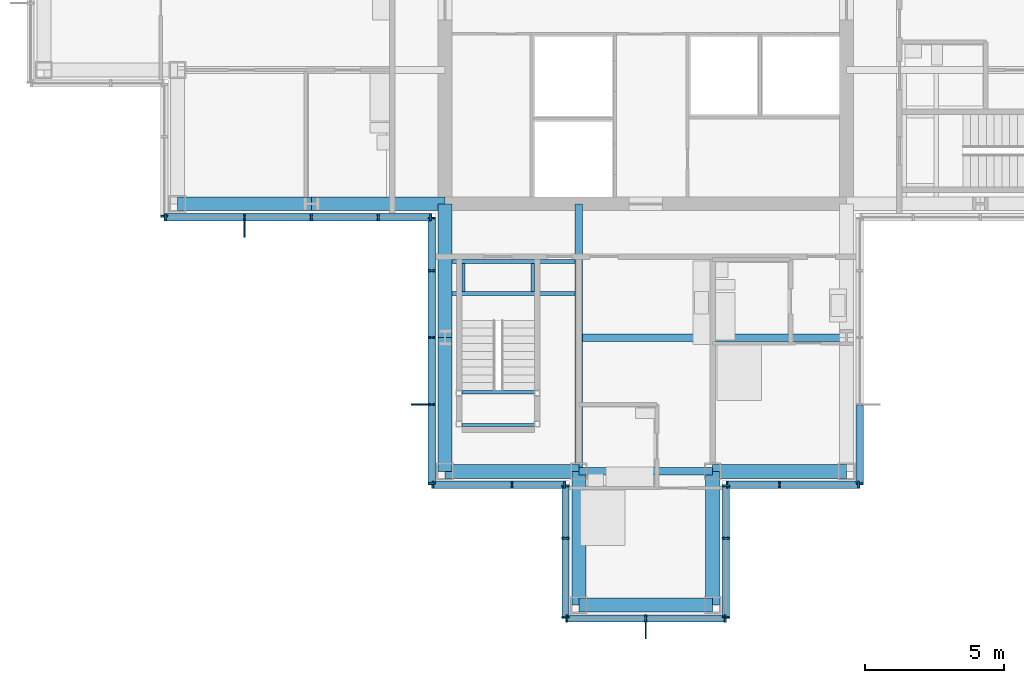
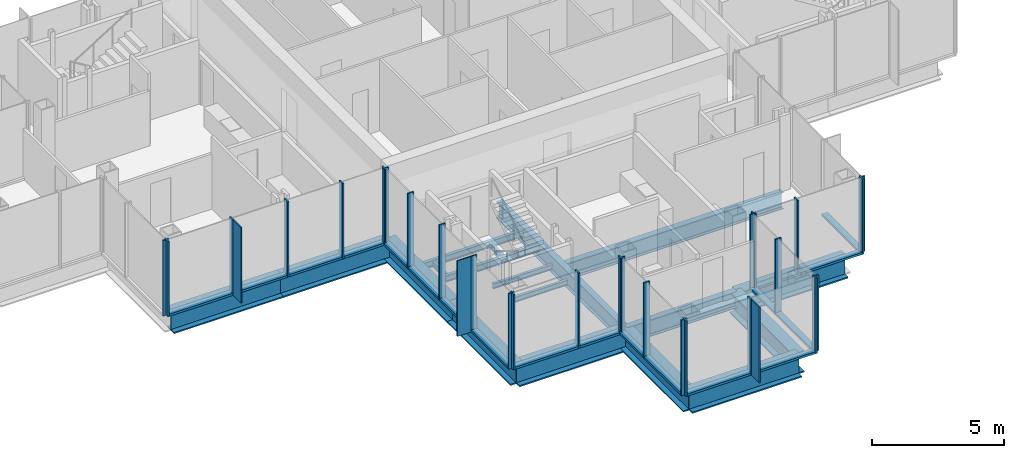
# One storey, part 5 of 15: 49 members, 18 beams, 9 elements without a shape of their own.
"""IFC4 building model written with IfcOpenShell, lengths in metres."""

from ifc_helpers import new_model, si_unit, direction, frame, origin, origin_2d, place, context, subcontext, project, spatial, rectangle, i_section, extrude, material, material_profile, profile_set, type_object, element, aggregate, save


model = new_model("IFC4")

# Units and contexts
model_context = context("Model", 3, precision=1e-05, world=origin(), true_north=direction((0.0, 1.0)))
body_context = subcontext(model_context, "Body", "Model", "MODEL_VIEW")
ifc_project = project(units=[si_unit("LENGTHUNIT", "METRE"), si_unit("AREAUNIT", "SQUARE_METRE"), si_unit("VOLUMEUNIT", "CUBIC_METRE"), si_unit("PLANEANGLEUNIT", "RADIAN"), si_unit("MASSUNIT", "GRAM", prefix="KILO")], contexts=[model_context])

# Site, building, storey
site_placement = place(None, origin())
site = spatial("IfcSite", under=ifc_project, at=site_placement, CompositionType="ELEMENT")
building_placement = place(site_placement, origin())
building = spatial("IfcBuilding", under=site, at=building_placement, Name="Kvirike Care Tower", CompositionType="ELEMENT")
storey_placement = place(building_placement, frame((0.0, 0.0, 219.0)))
storey = spatial("IfcBuildingStorey", under=building, at=storey_placement, Name="L60", CompositionType="ELEMENT", Elevation=219.0)

# Curtain wall, member
ifc_material_1 = material(Name="Anodised aluminium stick system", Category="aluminium")
curtain_wall_type = type_object("IfcCurtainWallType", Name="CW-D STICK CURTAIN WALL", PredefinedType="NOTDEFINED", material=ifc_material_1)
curtain_wall_1_placement = place(storey_placement, origin())
curtain_wall_1 = element("IfcCurtainWall", 1, at=curtain_wall_1_placement, inside=storey, type_object=curtain_wall_type, Name="Curtain wall L60 face 13", PredefinedType="NOTDEFINED")
ifc_material_2 = material(Name="Bronze anodised aluminium fin", Category="aluminium")
ifc_material_profile_1 = material_profile(ifc_material_2, rectangle(XDim=0.050048828125, YDim=0.60009765625, at=origin_2d()), Name="BRONZE FIN 600")
ifc_profile_set_1 = profile_set([ifc_material_profile_1], Name="Bronze anodised aluminium fin")
member_type_1 = type_object("IfcMemberType", Name="BRONZE FIN 600", PredefinedType="USERDEFINED", material=ifc_profile_set_1)
member_1_placement = place(storey_placement, frame((7.199951171875, 27.889892578125, 0.0), z_axis=(0.0, 0.0, 1.0), x_axis=(1.0, 0.0, 0.0)))
member_1 = element("IfcMember", 2, at=member_1_placement, type_object=member_type_1, Name="Bronze fin L60 face 13.2", ObjectType="FIN", PredefinedType="USERDEFINED", context=body_context, shape_type="SweptSolid", body=[
    extrude(rectangle(XDim=0.050048828125, YDim=0.60009765625, at=origin_2d()), origin(), (0.0, 0.0, 1.0), 3.5),
])

curtain_wall_2_placement = place(storey_placement, origin())
curtain_wall_2 = element("IfcCurtainWall", 3, at=curtain_wall_2_placement, inside=storey, type_object=curtain_wall_type, Name="Curtain wall L60 face 14", PredefinedType="NOTDEFINED")
member_2_placement = place(storey_placement, frame((13.489990234375, 21.60009765625, 0.0), z_axis=(0.0, 0.0, 1.0), x_axis=(0.0, -1.0, 0.0)))
member_2 = element("IfcMember", 4, at=member_2_placement, type_object=member_type_1, Name="Bronze fin L60 face 14.4", ObjectType="FIN", PredefinedType="USERDEFINED", context=body_context, shape_type="SweptSolid", body=[
    extrude(rectangle(XDim=0.050048828125, YDim=0.60009765625, at=origin_2d()), origin(), (0.0, 0.0, 1.0), 3.5),
])

curtain_wall_3_placement = place(storey_placement, origin())
curtain_wall_3 = element("IfcCurtainWall", 5, at=curtain_wall_3_placement, inside=storey, type_object=curtain_wall_type, Name="Curtain wall L60 face 17", PredefinedType="NOTDEFINED")
member_3_placement = place(storey_placement, frame((21.60009765625, 13.489990234375, 0.0), z_axis=(0.0, 0.0, 1.0), x_axis=(1.0, 0.0, 0.0)))
member_3 = element("IfcMember", 6, at=member_3_placement, type_object=member_type_1, Name="Bronze fin L60 face 17.2", ObjectType="FIN", PredefinedType="USERDEFINED", context=body_context, shape_type="SweptSolid", body=[
    extrude(rectangle(XDim=0.050048828125, YDim=0.60009765625, at=origin_2d()), origin(), (0.0, 0.0, 1.0), 3.5),
])

curtain_wall_4_placement = place(storey_placement, origin())
curtain_wall_4 = element("IfcCurtainWall", 7, at=curtain_wall_4_placement, inside=storey, type_object=curtain_wall_type, Name="Curtain wall L60 face 12", PredefinedType="NOTDEFINED")
ifc_material_3 = material(Name="Bronze anodised aluminium mullion", Category="aluminium")
ifc_material_profile_2 = material_profile(ifc_material_3, rectangle(XDim=0.06494140625, YDim=0.260009765625, at=origin_2d()), Name="CW-D MULLION 65x260")
ifc_profile_set_2 = profile_set([ifc_material_profile_2], Name="Bronze anodised aluminium mullion")
member_type_2 = type_object("IfcMemberType", Name="CW-D MULLION 65x260", PredefinedType="MULLION", material=ifc_profile_set_2)
member_4_placement = place(storey_placement, frame((4.320068359375, 28.3525390625, 0.0), z_axis=(0.0, 0.0, 1.0), x_axis=(0.0, -1.0, 0.0)))
member_4 = element("IfcMember", 8, at=member_4_placement, type_object=member_type_2, Name="CW-D mullion L60 face 12.3", PredefinedType="MULLION", context=body_context, shape_type="SweptSolid", body=[
    extrude(rectangle(XDim=0.06494140625, YDim=0.260009765625, at=origin_2d()), origin(), (0.0, 0.0, 1.0), 3.5),
])
aggregate(curtain_wall_4, [member_4])

# Member
member_5_placement = place(storey_placement, frame((4.3525390625, 28.320068359375, 0.0), z_axis=(0.0, 0.0, 1.0), x_axis=(1.0, 0.0, 0.0)))
member_5 = element("IfcMember", 9, at=member_5_placement, type_object=member_type_2, Name="CW-D mullion L60 face 13.1", PredefinedType="MULLION", context=body_context, shape_type="SweptSolid", body=[
    extrude(rectangle(XDim=0.06494140625, YDim=0.260009765625, at=origin_2d()), origin(), (0.0, 0.0, 1.0), 3.5),
])

member_6_placement = place(storey_placement, frame((7.199951171875, 28.320068359375, 0.0), z_axis=(0.0, 0.0, 1.0), x_axis=(1.0, 0.0, 0.0)))
member_6 = element("IfcMember", 10, at=member_6_placement, type_object=member_type_2, Name="CW-D mullion L60 face 13.2", PredefinedType="MULLION", context=body_context, shape_type="SweptSolid", body=[
    extrude(rectangle(XDim=0.06494140625, YDim=0.260009765625, at=origin_2d()), origin(), (0.0, 0.0, 1.0), 3.5),
])

member_7_placement = place(storey_placement, frame((9.60009765625, 28.320068359375, 0.0), z_axis=(0.0, 0.0, 1.0), x_axis=(1.0, 0.0, 0.0)))
member_7 = element("IfcMember", 11, at=member_7_placement, type_object=member_type_2, Name="CW-D mullion L60 face 13.3", PredefinedType="MULLION", context=body_context, shape_type="SweptSolid", body=[
    extrude(rectangle(XDim=0.06494140625, YDim=0.260009765625, at=origin_2d()), origin(), (0.0, 0.0, 1.0), 3.5),
])

member_8_placement = place(storey_placement, frame((12.0, 28.320068359375, 0.0), z_axis=(0.0, 0.0, 1.0), x_axis=(1.0, 0.0, 0.0)))
member_8 = element("IfcMember", 12, at=member_8_placement, type_object=member_type_2, Name="CW-D mullion L60 face 13.4", PredefinedType="MULLION", context=body_context, shape_type="SweptSolid", body=[
    extrude(rectangle(XDim=0.06494140625, YDim=0.260009765625, at=origin_2d()), origin(), (0.0, 0.0, 1.0), 3.5),
])

member_9_placement = place(storey_placement, frame((13.887451171875, 28.320068359375, 0.0), z_axis=(0.0, 0.0, 1.0), x_axis=(1.0, 0.0, 0.0)))
member_9 = element("IfcMember", 13, at=member_9_placement, type_object=member_type_2, Name="CW-D mullion L60 face 13.5", PredefinedType="MULLION", context=body_context, shape_type="SweptSolid", body=[
    extrude(rectangle(XDim=0.06494140625, YDim=0.260009765625, at=origin_2d()), origin(), (0.0, 0.0, 1.0), 3.5),
])

member_10_placement = place(storey_placement, frame((13.919921875, 28.28759765625, 0.0), z_axis=(0.0, 0.0, 1.0), x_axis=(0.0, -1.0, 0.0)))
member_10 = element("IfcMember", 14, at=member_10_placement, type_object=member_type_2, Name="CW-D mullion L60 face 14.1", PredefinedType="MULLION", context=body_context, shape_type="SweptSolid", body=[
    extrude(rectangle(XDim=0.06494140625, YDim=0.260009765625, at=origin_2d()), origin(), (0.0, 0.0, 1.0), 3.5),
])

member_11_placement = place(storey_placement, frame((13.919921875, 26.39990234375, 0.0), z_axis=(0.0, 0.0, 1.0), x_axis=(0.0, -1.0, 0.0)))
member_11 = element("IfcMember", 15, at=member_11_placement, type_object=member_type_2, Name="CW-D mullion L60 face 14.2", PredefinedType="MULLION", context=body_context, shape_type="SweptSolid", body=[
    extrude(rectangle(XDim=0.06494140625, YDim=0.260009765625, at=origin_2d()), origin(), (0.0, 0.0, 1.0), 3.5),
])

member_12_placement = place(storey_placement, frame((13.919921875, 24.0, 0.0), z_axis=(0.0, 0.0, 1.0), x_axis=(0.0, -1.0, 0.0)))
member_12 = element("IfcMember", 16, at=member_12_placement, type_object=member_type_2, Name="CW-D mullion L60 face 14.3", PredefinedType="MULLION", context=body_context, shape_type="SweptSolid", body=[
    extrude(rectangle(XDim=0.06494140625, YDim=0.260009765625, at=origin_2d()), origin(), (0.0, 0.0, 1.0), 3.5),
])

member_13_placement = place(storey_placement, frame((13.919921875, 21.60009765625, 0.0), z_axis=(0.0, 0.0, 1.0), x_axis=(0.0, -1.0, 0.0)))
member_13 = element("IfcMember", 17, at=member_13_placement, type_object=member_type_2, Name="CW-D mullion L60 face 14.4", PredefinedType="MULLION", context=body_context, shape_type="SweptSolid", body=[
    extrude(rectangle(XDim=0.06494140625, YDim=0.260009765625, at=origin_2d()), origin(), (0.0, 0.0, 1.0), 3.5),
])

member_14_placement = place(storey_placement, frame((13.919921875, 18.75244140625, 0.0), z_axis=(0.0, 0.0, 1.0), x_axis=(0.0, -1.0, 0.0)))
member_14 = element("IfcMember", 18, at=member_14_placement, type_object=member_type_2, Name="CW-D mullion L60 face 14.5", PredefinedType="MULLION", context=body_context, shape_type="SweptSolid", body=[
    extrude(rectangle(XDim=0.06494140625, YDim=0.260009765625, at=origin_2d()), origin(), (0.0, 0.0, 1.0), 3.5),
])

# Curtain wall, members
curtain_wall_5_placement = place(storey_placement, origin())
curtain_wall_5 = element("IfcCurtainWall", 19, at=curtain_wall_5_placement, inside=storey, type_object=curtain_wall_type, Name="Curtain wall L60 face 15", PredefinedType="NOTDEFINED")
member_15_placement = place(storey_placement, frame((13.952392578125, 18.719970703125, 0.0), z_axis=(0.0, 0.0, 1.0), x_axis=(1.0, 0.0, 0.0)))
member_15 = element("IfcMember", 20, at=member_15_placement, type_object=member_type_2, Name="CW-D mullion L60 face 15.1", PredefinedType="MULLION", context=body_context, shape_type="SweptSolid", body=[
    extrude(rectangle(XDim=0.06494140625, YDim=0.260009765625, at=origin_2d()), origin(), (0.0, 0.0, 1.0), 3.5),
])
member_16_placement = place(storey_placement, frame((16.800048828125, 18.719970703125, 0.0), z_axis=(0.0, 0.0, 1.0), x_axis=(1.0, 0.0, 0.0)))
member_16 = element("IfcMember", 21, at=member_16_placement, type_object=member_type_2, Name="CW-D mullion L60 face 15.2", PredefinedType="MULLION", context=body_context, shape_type="SweptSolid", body=[
    extrude(rectangle(XDim=0.06494140625, YDim=0.260009765625, at=origin_2d()), origin(), (0.0, 0.0, 1.0), 3.5),
])
member_17_placement = place(storey_placement, frame((18.6875, 18.719970703125, 0.0), z_axis=(0.0, 0.0, 1.0), x_axis=(1.0, 0.0, 0.0)))
member_17 = element("IfcMember", 22, at=member_17_placement, type_object=member_type_2, Name="CW-D mullion L60 face 15.3", PredefinedType="MULLION", context=body_context, shape_type="SweptSolid", body=[
    extrude(rectangle(XDim=0.06494140625, YDim=0.260009765625, at=origin_2d()), origin(), (0.0, 0.0, 1.0), 3.5),
])

curtain_wall_6_placement = place(storey_placement, origin())
curtain_wall_6 = element("IfcCurtainWall", 23, at=curtain_wall_6_placement, inside=storey, type_object=curtain_wall_type, Name="Curtain wall L60 face 16", PredefinedType="NOTDEFINED")
member_18_placement = place(storey_placement, frame((18.719970703125, 18.6875, 0.0), z_axis=(0.0, 0.0, 1.0), x_axis=(0.0, -1.0, 0.0)))
member_18 = element("IfcMember", 24, at=member_18_placement, type_object=member_type_2, Name="CW-D mullion L60 face 16.1", PredefinedType="MULLION", context=body_context, shape_type="SweptSolid", body=[
    extrude(rectangle(XDim=0.06494140625, YDim=0.260009765625, at=origin_2d()), origin(), (0.0, 0.0, 1.0), 3.5),
])
member_19_placement = place(storey_placement, frame((18.719970703125, 16.800048828125, 0.0), z_axis=(0.0, 0.0, 1.0), x_axis=(0.0, -1.0, 0.0)))
member_19 = element("IfcMember", 25, at=member_19_placement, type_object=member_type_2, Name="CW-D mullion L60 face 16.2", PredefinedType="MULLION", context=body_context, shape_type="SweptSolid", body=[
    extrude(rectangle(XDim=0.06494140625, YDim=0.260009765625, at=origin_2d()), origin(), (0.0, 0.0, 1.0), 3.5),
])
member_20_placement = place(storey_placement, frame((18.719970703125, 13.952392578125, 0.0), z_axis=(0.0, 0.0, 1.0), x_axis=(0.0, -1.0, 0.0)))
member_20 = element("IfcMember", 26, at=member_20_placement, type_object=member_type_2, Name="CW-D mullion L60 face 16.3", PredefinedType="MULLION", context=body_context, shape_type="SweptSolid", body=[
    extrude(rectangle(XDim=0.06494140625, YDim=0.260009765625, at=origin_2d()), origin(), (0.0, 0.0, 1.0), 3.5),
])

# Member
member_21_placement = place(storey_placement, frame((18.75244140625, 13.919921875, 0.0), z_axis=(0.0, 0.0, 1.0), x_axis=(1.0, 0.0, 0.0)))
member_21 = element("IfcMember", 27, at=member_21_placement, type_object=member_type_2, Name="CW-D mullion L60 face 17.1", PredefinedType="MULLION", context=body_context, shape_type="SweptSolid", body=[
    extrude(rectangle(XDim=0.06494140625, YDim=0.260009765625, at=origin_2d()), origin(), (0.0, 0.0, 1.0), 3.5),
])

member_22_placement = place(storey_placement, frame((21.60009765625, 13.919921875, 0.0), z_axis=(0.0, 0.0, 1.0), x_axis=(1.0, 0.0, 0.0)))
member_22 = element("IfcMember", 28, at=member_22_placement, type_object=member_type_2, Name="CW-D mullion L60 face 17.2", PredefinedType="MULLION", context=body_context, shape_type="SweptSolid", body=[
    extrude(rectangle(XDim=0.06494140625, YDim=0.260009765625, at=origin_2d()), origin(), (0.0, 0.0, 1.0), 3.5),
])

member_23_placement = place(storey_placement, frame((24.447509765625, 13.919921875, 0.0), z_axis=(0.0, 0.0, 1.0), x_axis=(1.0, 0.0, 0.0)))
member_23 = element("IfcMember", 29, at=member_23_placement, type_object=member_type_2, Name="CW-D mullion L60 face 17.3", PredefinedType="MULLION", context=body_context, shape_type="SweptSolid", body=[
    extrude(rectangle(XDim=0.06494140625, YDim=0.260009765625, at=origin_2d()), origin(), (0.0, 0.0, 1.0), 3.5),
])

# Curtain wall, members
curtain_wall_7_placement = place(storey_placement, origin())
curtain_wall_7 = element("IfcCurtainWall", 30, at=curtain_wall_7_placement, inside=storey, type_object=curtain_wall_type, Name="Curtain wall L60 face 18", PredefinedType="NOTDEFINED")
member_24_placement = place(storey_placement, frame((24.47998046875, 13.952392578125, 0.0), z_axis=(0.0, 0.0, 1.0), x_axis=(0.0, 1.0, 0.0)))
member_24 = element("IfcMember", 31, at=member_24_placement, type_object=member_type_2, Name="CW-D mullion L60 face 18.1", PredefinedType="MULLION", context=body_context, shape_type="SweptSolid", body=[
    extrude(rectangle(XDim=0.06494140625, YDim=0.260009765625, at=origin_2d()), origin(), (0.0, 0.0, 1.0), 3.5),
])
member_25_placement = place(storey_placement, frame((24.47998046875, 16.800048828125, 0.0), z_axis=(0.0, 0.0, 1.0), x_axis=(0.0, 1.0, 0.0)))
member_25 = element("IfcMember", 32, at=member_25_placement, type_object=member_type_2, Name="CW-D mullion L60 face 18.2", PredefinedType="MULLION", context=body_context, shape_type="SweptSolid", body=[
    extrude(rectangle(XDim=0.06494140625, YDim=0.260009765625, at=origin_2d()), origin(), (0.0, 0.0, 1.0), 3.5),
])
member_26_placement = place(storey_placement, frame((24.47998046875, 18.6875, 0.0), z_axis=(0.0, 0.0, 1.0), x_axis=(0.0, 1.0, 0.0)))
member_26 = element("IfcMember", 33, at=member_26_placement, type_object=member_type_2, Name="CW-D mullion L60 face 18.3", PredefinedType="MULLION", context=body_context, shape_type="SweptSolid", body=[
    extrude(rectangle(XDim=0.06494140625, YDim=0.260009765625, at=origin_2d()), origin(), (0.0, 0.0, 1.0), 3.5),
])

curtain_wall_8_placement = place(storey_placement, origin())
curtain_wall_8 = element("IfcCurtainWall", 34, at=curtain_wall_8_placement, inside=storey, type_object=curtain_wall_type, Name="Curtain wall L60 face 19", PredefinedType="NOTDEFINED")
member_27_placement = place(storey_placement, frame((24.512451171875, 18.719970703125, 0.0), z_axis=(0.0, 0.0, 1.0), x_axis=(1.0, 0.0, 0.0)))
member_27 = element("IfcMember", 35, at=member_27_placement, type_object=member_type_2, Name="CW-D mullion L60 face 19.1", PredefinedType="MULLION", context=body_context, shape_type="SweptSolid", body=[
    extrude(rectangle(XDim=0.06494140625, YDim=0.260009765625, at=origin_2d()), origin(), (0.0, 0.0, 1.0), 3.5),
])
member_28_placement = place(storey_placement, frame((26.39990234375, 18.719970703125, 0.0), z_axis=(0.0, 0.0, 1.0), x_axis=(1.0, 0.0, 0.0)))
member_28 = element("IfcMember", 36, at=member_28_placement, type_object=member_type_2, Name="CW-D mullion L60 face 19.2", PredefinedType="MULLION", context=body_context, shape_type="SweptSolid", body=[
    extrude(rectangle(XDim=0.06494140625, YDim=0.260009765625, at=origin_2d()), origin(), (0.0, 0.0, 1.0), 3.5),
])
member_29_placement = place(storey_placement, frame((29.24755859375, 18.719970703125, 0.0), z_axis=(0.0, 0.0, 1.0), x_axis=(1.0, 0.0, 0.0)))
member_29 = element("IfcMember", 37, at=member_29_placement, type_object=member_type_2, Name="CW-D mullion L60 face 19.3", PredefinedType="MULLION", context=body_context, shape_type="SweptSolid", body=[
    extrude(rectangle(XDim=0.06494140625, YDim=0.260009765625, at=origin_2d()), origin(), (0.0, 0.0, 1.0), 3.5),
])

# Curtain wall, member
curtain_wall_9_placement = place(storey_placement, origin())
curtain_wall_9 = element("IfcCurtainWall", 38, at=curtain_wall_9_placement, inside=storey, type_object=curtain_wall_type, Name="Curtain wall L60 face 20", PredefinedType="NOTDEFINED")
member_30_placement = place(storey_placement, frame((29.280029296875, 18.75244140625, 0.0), z_axis=(0.0, 0.0, 1.0), x_axis=(0.0, 1.0, 0.0)))
member_30 = element("IfcMember", 39, at=member_30_placement, type_object=member_type_2, Name="CW-D mullion L60 face 20.1", PredefinedType="MULLION", context=body_context, shape_type="SweptSolid", body=[
    extrude(rectangle(XDim=0.06494140625, YDim=0.260009765625, at=origin_2d()), origin(), (0.0, 0.0, 1.0), 3.5),
])

# Member
ifc_material_4 = material(Name="Bronze anodised aluminium transom", Category="aluminium")
ifc_material_profile_3 = material_profile(ifc_material_4, rectangle(XDim=0.260009765625, YDim=0.10009765625, at=origin_2d()), Name="CW-D TRANSOM 260x100")
ifc_profile_set_3 = profile_set([ifc_material_profile_3], Name="Bronze anodised aluminium transom")
member_type_3 = type_object("IfcMemberType", Name="CW-D TRANSOM 260x100", PredefinedType="USERDEFINED", material=ifc_profile_set_3)
member_31_placement = place(storey_placement, frame((4.385009765625, 28.320068359375, 0.050048828125), z_axis=(1.0, 0.0, 0.0), x_axis=(0.0, 1.0, 0.0)))
member_31 = element("IfcMember", 40, at=member_31_placement, type_object=member_type_3, Name="CW-D sill transom L60 face 13.1", ObjectType="TRANSOM", PredefinedType="USERDEFINED", context=body_context, shape_type="SweptSolid", body=[
    extrude(rectangle(XDim=0.260009765625, YDim=0.10009765625, at=origin_2d()), origin(), (0.0, 0.0, 1.0), 2.782470703125),
])

member_32_placement = place(storey_placement, frame((7.232421875, 28.320068359375, 0.050048828125), z_axis=(1.0, 0.0, 0.0), x_axis=(0.0, 1.0, 0.0)))
member_32 = element("IfcMember", 41, at=member_32_placement, type_object=member_type_3, Name="CW-D sill transom L60 face 13.2", ObjectType="TRANSOM", PredefinedType="USERDEFINED", context=body_context, shape_type="SweptSolid", body=[
    extrude(rectangle(XDim=0.260009765625, YDim=0.10009765625, at=origin_2d()), origin(), (0.0, 0.0, 1.0), 2.3349609375),
])

member_33_placement = place(storey_placement, frame((9.632568359375, 28.320068359375, 0.050048828125), z_axis=(1.0, 0.0, 0.0), x_axis=(0.0, 1.0, 0.0)))
member_33 = element("IfcMember", 42, at=member_33_placement, type_object=member_type_3, Name="CW-D sill transom L60 face 13.3", ObjectType="TRANSOM", PredefinedType="USERDEFINED", context=body_context, shape_type="SweptSolid", body=[
    extrude(rectangle(XDim=0.260009765625, YDim=0.10009765625, at=origin_2d()), origin(), (0.0, 0.0, 1.0), 2.3349609375),
])

member_34_placement = place(storey_placement, frame((12.032470703125, 28.320068359375, 0.050048828125), z_axis=(1.0, 0.0, 0.0), x_axis=(0.0, 1.0, 0.0)))
member_34 = element("IfcMember", 43, at=member_34_placement, type_object=member_type_3, Name="CW-D sill transom L60 face 13.4", ObjectType="TRANSOM", PredefinedType="USERDEFINED", context=body_context, shape_type="SweptSolid", body=[
    extrude(rectangle(XDim=0.260009765625, YDim=0.10009765625, at=origin_2d()), origin(), (0.0, 0.0, 1.0), 1.822509765625),
])

aggregate(curtain_wall_1, [member_5, member_6, member_1, member_7, member_8, member_9, member_31, member_32, member_33, member_34])

member_35_placement = place(storey_placement, frame((13.919921875, 28.2548828125, 0.050048828125), z_axis=(0.0, -1.0, 0.0), x_axis=(1.0, 0.0, 0.0)))
member_35 = element("IfcMember", 44, at=member_35_placement, type_object=member_type_3, Name="CW-D sill transom L60 face 14.1", ObjectType="TRANSOM", PredefinedType="USERDEFINED", context=body_context, shape_type="SweptSolid", body=[
    extrude(rectangle(XDim=0.260009765625, YDim=0.10009765625, at=origin_2d()), origin(), (0.0, 0.0, 1.0), 1.822265625),
])

member_36_placement = place(storey_placement, frame((13.919921875, 26.367431640625, 0.050048828125), z_axis=(0.0, -1.0, 0.0), x_axis=(1.0, 0.0, 0.0)))
member_36 = element("IfcMember", 45, at=member_36_placement, type_object=member_type_3, Name="CW-D sill transom L60 face 14.2", ObjectType="TRANSOM", PredefinedType="USERDEFINED", context=body_context, shape_type="SweptSolid", body=[
    extrude(rectangle(XDim=0.260009765625, YDim=0.10009765625, at=origin_2d()), origin(), (0.0, 0.0, 1.0), 2.3349609375),
])

member_37_placement = place(storey_placement, frame((13.919921875, 23.967529296875, 0.050048828125), z_axis=(0.0, -1.0, 0.0), x_axis=(1.0, 0.0, 0.0)))
member_37 = element("IfcMember", 46, at=member_37_placement, type_object=member_type_3, Name="CW-D sill transom L60 face 14.3", ObjectType="TRANSOM", PredefinedType="USERDEFINED", context=body_context, shape_type="SweptSolid", body=[
    extrude(rectangle(XDim=0.260009765625, YDim=0.10009765625, at=origin_2d()), origin(), (0.0, 0.0, 1.0), 2.3349609375),
])

member_38_placement = place(storey_placement, frame((13.919921875, 21.5673828125, 0.050048828125), z_axis=(0.0, -1.0, 0.0), x_axis=(1.0, 0.0, 0.0)))
member_38 = element("IfcMember", 47, at=member_38_placement, type_object=member_type_3, Name="CW-D sill transom L60 face 14.4", ObjectType="TRANSOM", PredefinedType="USERDEFINED", context=body_context, shape_type="SweptSolid", body=[
    extrude(rectangle(XDim=0.260009765625, YDim=0.10009765625, at=origin_2d()), origin(), (0.0, 0.0, 1.0), 2.782470703125),
])

aggregate(curtain_wall_2, [member_10, member_11, member_12, member_13, member_2, member_14, member_35, member_36, member_37, member_38])

member_39_placement = place(storey_placement, frame((13.985107421875, 18.719970703125, 0.050048828125), z_axis=(1.0, 0.0, 0.0), x_axis=(0.0, 1.0, 0.0)))
member_39 = element("IfcMember", 48, at=member_39_placement, type_object=member_type_3, Name="CW-D sill transom L60 face 15.1", ObjectType="TRANSOM", PredefinedType="USERDEFINED", context=body_context, shape_type="SweptSolid", body=[
    extrude(rectangle(XDim=0.260009765625, YDim=0.10009765625, at=origin_2d()), origin(), (0.0, 0.0, 1.0), 2.782470703125),
])

member_40_placement = place(storey_placement, frame((16.83251953125, 18.719970703125, 0.050048828125), z_axis=(1.0, 0.0, 0.0), x_axis=(0.0, 1.0, 0.0)))
member_40 = element("IfcMember", 49, at=member_40_placement, type_object=member_type_3, Name="CW-D sill transom L60 face 15.2", ObjectType="TRANSOM", PredefinedType="USERDEFINED", context=body_context, shape_type="SweptSolid", body=[
    extrude(rectangle(XDim=0.260009765625, YDim=0.10009765625, at=origin_2d()), origin(), (0.0, 0.0, 1.0), 1.822509765625),
])

aggregate(curtain_wall_5, [member_15, member_16, member_17, member_39, member_40])

member_41_placement = place(storey_placement, frame((18.719970703125, 18.655029296875, 0.050048828125), z_axis=(0.0, -1.0, 0.0), x_axis=(1.0, 0.0, 0.0)))
member_41 = element("IfcMember", 50, at=member_41_placement, type_object=member_type_3, Name="CW-D sill transom L60 face 16.1", ObjectType="TRANSOM", PredefinedType="USERDEFINED", context=body_context, shape_type="SweptSolid", body=[
    extrude(rectangle(XDim=0.260009765625, YDim=0.10009765625, at=origin_2d()), origin(), (0.0, 0.0, 1.0), 1.822509765625),
])

member_42_placement = place(storey_placement, frame((18.719970703125, 16.767578125, 0.050048828125), z_axis=(0.0, -1.0, 0.0), x_axis=(1.0, 0.0, 0.0)))
member_42 = element("IfcMember", 51, at=member_42_placement, type_object=member_type_3, Name="CW-D sill transom L60 face 16.2", ObjectType="TRANSOM", PredefinedType="USERDEFINED", context=body_context, shape_type="SweptSolid", body=[
    extrude(rectangle(XDim=0.260009765625, YDim=0.10009765625, at=origin_2d()), origin(), (0.0, 0.0, 1.0), 2.782470703125),
])

aggregate(curtain_wall_6, [member_18, member_19, member_20, member_41, member_42])

member_43_placement = place(storey_placement, frame((18.784912109375, 13.919921875, 0.050048828125), z_axis=(1.0, 0.0, 0.0), x_axis=(0.0, 1.0, 0.0)))
member_43 = element("IfcMember", 52, at=member_43_placement, type_object=member_type_3, Name="CW-D sill transom L60 face 17.1", ObjectType="TRANSOM", PredefinedType="USERDEFINED", context=body_context, shape_type="SweptSolid", body=[
    extrude(rectangle(XDim=0.260009765625, YDim=0.10009765625, at=origin_2d()), origin(), (0.0, 0.0, 1.0), 2.782470703125),
])

member_44_placement = place(storey_placement, frame((21.632568359375, 13.919921875, 0.050048828125), z_axis=(1.0, 0.0, 0.0), x_axis=(0.0, 1.0, 0.0)))
member_44 = element("IfcMember", 53, at=member_44_placement, type_object=member_type_3, Name="CW-D sill transom L60 face 17.2", ObjectType="TRANSOM", PredefinedType="USERDEFINED", context=body_context, shape_type="SweptSolid", body=[
    extrude(rectangle(XDim=0.260009765625, YDim=0.10009765625, at=origin_2d()), origin(), (0.0, 0.0, 1.0), 2.782470703125),
])

aggregate(curtain_wall_3, [member_21, member_22, member_3, member_23, member_43, member_44])

member_45_placement = place(storey_placement, frame((24.47998046875, 13.985107421875, 0.050048828125), z_axis=(0.0, 1.0, 0.0), x_axis=(-1.0, 0.0, 0.0)))
member_45 = element("IfcMember", 54, at=member_45_placement, type_object=member_type_3, Name="CW-D sill transom L60 face 18.1", ObjectType="TRANSOM", PredefinedType="USERDEFINED", context=body_context, shape_type="SweptSolid", body=[
    extrude(rectangle(XDim=0.260009765625, YDim=0.10009765625, at=origin_2d()), origin(), (0.0, 0.0, 1.0), 2.782470703125),
])

member_46_placement = place(storey_placement, frame((24.47998046875, 16.83251953125, 0.050048828125), z_axis=(0.0, 1.0, 0.0), x_axis=(-1.0, 0.0, 0.0)))
member_46 = element("IfcMember", 55, at=member_46_placement, type_object=member_type_3, Name="CW-D sill transom L60 face 18.2", ObjectType="TRANSOM", PredefinedType="USERDEFINED", context=body_context, shape_type="SweptSolid", body=[
    extrude(rectangle(XDim=0.260009765625, YDim=0.10009765625, at=origin_2d()), origin(), (0.0, 0.0, 1.0), 1.822509765625),
])

aggregate(curtain_wall_7, [member_24, member_25, member_26, member_45, member_46])

member_47_placement = place(storey_placement, frame((24.544921875, 18.719970703125, 0.050048828125), z_axis=(1.0, 0.0, 0.0), x_axis=(0.0, 1.0, 0.0)))
member_47 = element("IfcMember", 56, at=member_47_placement, type_object=member_type_3, Name="CW-D sill transom L60 face 19.1", ObjectType="TRANSOM", PredefinedType="USERDEFINED", context=body_context, shape_type="SweptSolid", body=[
    extrude(rectangle(XDim=0.260009765625, YDim=0.10009765625, at=origin_2d()), origin(), (0.0, 0.0, 1.0), 1.822509765625),
])

member_48_placement = place(storey_placement, frame((26.4326171875, 18.719970703125, 0.050048828125), z_axis=(1.0, 0.0, 0.0), x_axis=(0.0, 1.0, 0.0)))
member_48 = element("IfcMember", 57, at=member_48_placement, type_object=member_type_3, Name="CW-D sill transom L60 face 19.2", ObjectType="TRANSOM", PredefinedType="USERDEFINED", context=body_context, shape_type="SweptSolid", body=[
    extrude(rectangle(XDim=0.260009765625, YDim=0.10009765625, at=origin_2d()), origin(), (0.0, 0.0, 1.0), 2.782470703125),
])

aggregate(curtain_wall_8, [member_27, member_28, member_29, member_47, member_48])

member_49_placement = place(storey_placement, frame((29.280029296875, 18.784912109375, 0.050048828125), z_axis=(0.0, 1.0, 0.0), x_axis=(-1.0, 0.0, 0.0)))
member_49 = element("IfcMember", 58, at=member_49_placement, type_object=member_type_3, Name="CW-D sill transom L60 face 20.1", ObjectType="TRANSOM", PredefinedType="USERDEFINED", context=body_context, shape_type="SweptSolid", body=[
    extrude(rectangle(XDim=0.260009765625, YDim=0.10009765625, at=origin_2d()), origin(), (0.0, 0.0, 1.0), 2.782470703125),
])

aggregate(curtain_wall_9, [member_30, member_49])

# Beams
ifc_material_5 = material(Name="Steel S355", Category="steel")
ifc_material_profile_4 = material_profile(ifc_material_5, i_section(OverallWidth=0.26806640625, OverallDepth=0.77001953125, WebThickness=0.015625, FlangeThickness=0.025390625, FilletRadius=0.01708984375, at=origin_2d()), Name="IPE 750x196")
ifc_profile_set_4 = profile_set([ifc_material_profile_4], Name="Steel S355")
beam_type_1 = type_object("IfcBeamType", Name="FLOOR BEAM IPE 750x196", PredefinedType="BEAM", material=ifc_profile_set_4)
beam_1_placement = place(storey_placement, frame((19.199951171875, 19.199951171875, -0.554931640625), z_axis=(1.0, 0.0, 0.0), x_axis=(0.0, 1.0, 0.0)))
element("IfcBeam", 59, at=beam_1_placement, inside=storey, type_object=beam_type_1, Name="Floor Beam E7-E8 L60", PredefinedType="BEAM", context=body_context, shape_type="SweptSolid", body=[
    extrude(i_section(OverallWidth=0.26806640625, OverallDepth=0.77001953125, WebThickness=0.015625, FlangeThickness=0.025390625, FilletRadius=0.01708984375, at=origin_2d()), origin(), (0.0, 0.0, 1.0), 4.800048828125),
])
for number, where, z_axis, x_axis, name in (
    (60, (19.199951171875, 24.0, -0.554931640625), (1.0, 0.0, 0.0), (0.0, 1.0, 0.0), "Floor Beam F7-F9 L60"),
    (61, (19.199951171875, 19.199951171875, -0.554931640625), (0.0, 1.0, 0.0), (-1.0, 0.0, 0.0), "Floor Beam E7-G7 L60"),
):
    element("IfcBeam", number, at=place(storey_placement, frame(where, z_axis=z_axis, x_axis=x_axis)), inside=storey, type_object=beam_type_1, Name=name, PredefinedType="BEAM", context=body_context, shape_type="SweptSolid", body=[
        extrude(i_section(OverallWidth=0.26806640625, OverallDepth=0.77001953125, WebThickness=0.015625, FlangeThickness=0.025390625, FilletRadius=0.01708984375, at=origin_2d()), origin(), (0.0, 0.0, 1.0), 9.60009765625),
    ])
ifc_material_6 = material(Name="Steel S355", Category="steel")
ifc_material_profile_5 = material_profile(ifc_material_6, i_section(OverallWidth=0.5, OverallDepth=1.0, WebThickness=0.030029296875, FlangeThickness=0.06005859375, at=origin_2d()), Name="PG 1000x500x30x60")
ifc_profile_set_5 = profile_set([ifc_material_profile_5], Name="Steel S355")
beam_type_2 = type_object("IfcBeamType", Name="SPANDREL PG 1000x500x30x60", PredefinedType="SPANDREL", material=ifc_profile_set_5)
for number, where, z_axis, x_axis, name in (
    (62, (19.199951171875, 14.39990234375, -0.669921875), (1.0, 0.0, 0.0), (0.0, 1.0, 0.0), "Spandrel D7-D8 L60"),
    (63, (14.39990234375, 19.199951171875, -0.669921875), (1.0, 0.0, 0.0), (0.0, 1.0, 0.0), "Spandrel E6-E7 L60"),
    (64, (24.0, 19.199951171875, -0.669921875), (1.0, 0.0, 0.0), (0.0, 1.0, 0.0), "Spandrel E8-E9 L60"),
    (65, (4.800048828125, 28.800048828125, -0.669921875), (1.0, 0.0, 0.0), (0.0, 1.0, 0.0), "Spandrel G4-G5 L60"),
):
    element("IfcBeam", number, at=place(storey_placement, frame(where, z_axis=z_axis, x_axis=x_axis)), inside=storey, type_object=beam_type_2, Name=name, PredefinedType="SPANDREL", context=body_context, shape_type="SweptSolid", body=[
        extrude(i_section(OverallWidth=0.5, OverallDepth=1.0, WebThickness=0.030029296875, FlangeThickness=0.06005859375, at=origin_2d()), origin(), (0.0, 0.0, 1.0), 4.800048828125),
    ])
beam_2_placement = place(storey_placement, frame((9.60009765625, 28.800048828125, -0.669921875), z_axis=(1.0, 0.0, 0.0), x_axis=(0.0, 1.0, 0.0)))
element("IfcBeam", 66, at=beam_2_placement, inside=storey, type_object=beam_type_2, Name="Spandrel G5-G6 L60", PredefinedType="SPANDREL", context=body_context, shape_type="SweptSolid", body=[
    extrude(i_section(OverallWidth=0.5, OverallDepth=1.0, WebThickness=0.030029296875, FlangeThickness=0.06005859375, at=origin_2d()), origin(), (0.0, 0.0, 1.0), 4.7998046875),
])
for number, where, z_axis, x_axis, name in (
    (67, (14.39990234375, 19.199951171875, -0.669921875), (0.0, 1.0, 0.0), (-1.0, 0.0, 0.0), "Spandrel E6-F6 L60"),
    (68, (14.39990234375, 24.0, -0.669921875), (0.0, 1.0, 0.0), (-1.0, 0.0, 0.0), "Spandrel F6-G6 L60"),
    (69, (19.199951171875, 14.39990234375, -0.669921875), (0.0, 1.0, 0.0), (-1.0, 0.0, 0.0), "Spandrel D7-E7 L60"),
    (70, (24.0, 14.39990234375, -0.669921875), (0.0, 1.0, 0.0), (-1.0, 0.0, 0.0), "Spandrel D8-E8 L60"),
):
    element("IfcBeam", number, at=place(storey_placement, frame(where, z_axis=z_axis, x_axis=x_axis)), inside=storey, type_object=beam_type_2, Name=name, PredefinedType="SPANDREL", context=body_context, shape_type="SweptSolid", body=[
        extrude(i_section(OverallWidth=0.5, OverallDepth=1.0, WebThickness=0.030029296875, FlangeThickness=0.06005859375, at=origin_2d()), origin(), (0.0, 0.0, 1.0), 4.800048828125),
    ])
ifc_material_7 = material(Name="Steel S355", Category="steel")
ifc_material_profile_6 = material_profile(ifc_material_7, i_section(OverallWidth=0.1201171875, OverallDepth=0.239990234375, WebThickness=0.006103515625, FlangeThickness=0.009765625, FilletRadius=0.014892578125, at=origin_2d()), Name="IPE 240")
ifc_profile_set_6 = profile_set([ifc_material_profile_6], Name="Steel S355")
beam_type_3 = type_object("IfcBeamType", Name="STAIR LANDING BEAM IPE 240", PredefinedType="BEAM", material=ifc_profile_set_6)
for number, where, z_axis, x_axis, name in (
    (71, (15.0, 20.860107421875, 1.429931640625), (1.0, 0.0, 0.0), (0.0, 1.0, 0.0), "Stair 5 landing beam back L60"),
    (72, (15.0, 22.0400390625, 1.429931640625), (1.0, 0.0, 0.0), (0.0, 1.0, 0.0), "Stair 5 landing beam front L60"),
):
    element("IfcBeam", number, at=place(storey_placement, frame(where, z_axis=z_axis, x_axis=x_axis)), inside=storey, type_object=beam_type_3, Name=name, PredefinedType="BEAM", context=body_context, shape_type="SweptSolid", body=[
        extrude(i_section(OverallWidth=0.1201171875, OverallDepth=0.239990234375, WebThickness=0.006103515625, FlangeThickness=0.009765625, FilletRadius=0.014892578125, at=origin_2d()), origin(), (0.0, 0.0, 1.0), 2.60009765625),
    ])
for number, where, z_axis, x_axis, name in (
    (73, (15.06005859375, 25.64990234375, -0.320068359375), (0.0, 1.0, 0.0), (-1.0, 0.0, 0.0), "Stair 5 landing edge beam 1 L60"),
    (74, (17.5400390625, 25.64990234375, -0.320068359375), (0.0, 1.0, 0.0), (-1.0, 0.0, 0.0), "Stair 5 landing edge beam 2 L60"),
):
    element("IfcBeam", number, at=place(storey_placement, frame(where, z_axis=z_axis, x_axis=x_axis)), inside=storey, type_object=beam_type_3, Name=name, PredefinedType="BEAM", context=body_context, shape_type="SweptSolid", body=[
        extrude(i_section(OverallWidth=0.1201171875, OverallDepth=0.239990234375, WebThickness=0.006103515625, FlangeThickness=0.009765625, FilletRadius=0.014892578125, at=origin_2d()), origin(), (0.0, 0.0, 1.0), 1.0),
    ])
ifc_material_8 = material(Name="Steel S355", Category="steel")
ifc_material_profile_7 = material_profile(ifc_material_8, i_section(OverallWidth=0.14990234375, OverallDepth=0.300048828125, WebThickness=0.007080078125, FlangeThickness=0.0107421875, FilletRadius=0.014892578125, at=origin_2d()), Name="IPE 300")
ifc_profile_set_7 = profile_set([ifc_material_profile_7], Name="Steel S355")
beam_type_4 = type_object("IfcBeamType", Name="STAIR TRIMMER IPE 300", PredefinedType="BEAM", material=ifc_profile_set_7)
for number, where, z_axis, x_axis, name in (
    (75, (14.64990234375, 25.574951171875, -0.35009765625), (1.0, 0.0, 0.0), (0.0, 1.0, 0.0), "Stair 5 trimmer 1 L60"),
    (76, (14.64990234375, 26.72509765625, -0.35009765625), (1.0, 0.0, 0.0), (0.0, 1.0, 0.0), "Stair 5 trimmer 2 L60"),
):
    element("IfcBeam", number, at=place(storey_placement, frame(where, z_axis=z_axis, x_axis=x_axis)), inside=storey, type_object=beam_type_4, Name=name, PredefinedType="BEAM", context=body_context, shape_type="SweptSolid", body=[
        extrude(i_section(OverallWidth=0.14990234375, OverallDepth=0.300048828125, WebThickness=0.007080078125, FlangeThickness=0.0107421875, FilletRadius=0.014892578125, at=origin_2d()), origin(), (0.0, 0.0, 1.0), 4.416015625),
    ])

save(model, "model.ifc")
